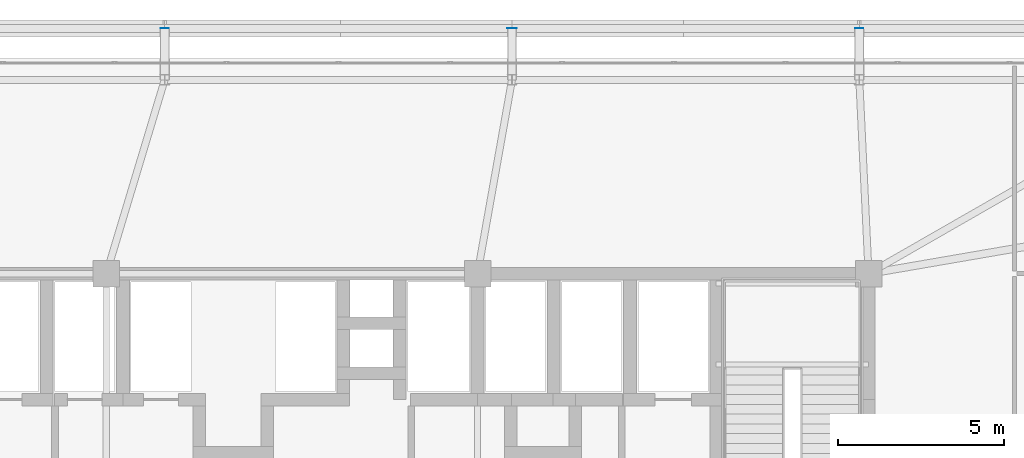
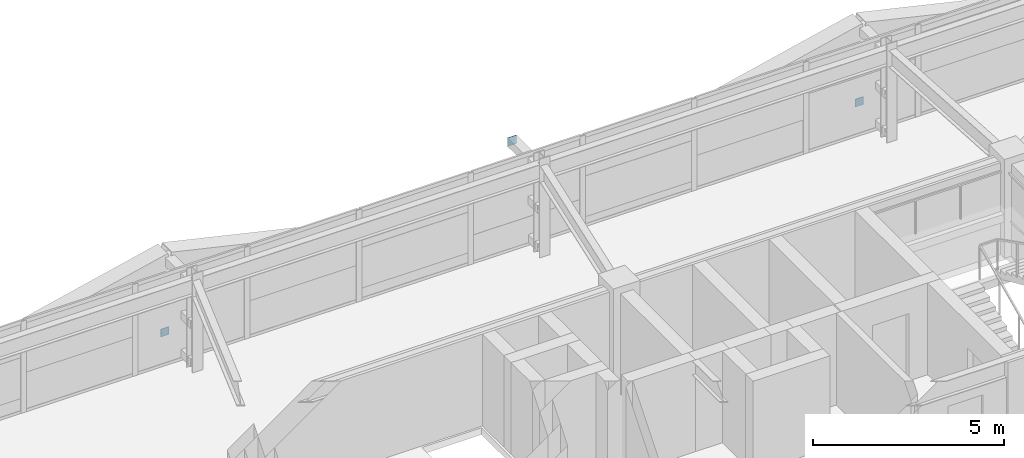
# One storey, part 50 of 58: 3 plates.
"""IFC4 building model written with IfcOpenShell, lengths in metres."""

from ifc_helpers import new_model, si_unit, direction, frame, origin, origin_2d, place, context, subcontext, project, spatial, rectangle, extrude, source, transform, mapped, material, layer, layer_set, type_object, element, save


model = new_model("IFC4")

# Units and contexts
model_context = context("Model", 3, precision=1e-05, world=origin(), true_north=direction((0.0, 1.0)))
body_context = subcontext(model_context, "Body", "Model", "MODEL_VIEW")
ifc_project = project(units=[si_unit("LENGTHUNIT", "METRE"), si_unit("AREAUNIT", "SQUARE_METRE"), si_unit("VOLUMEUNIT", "CUBIC_METRE"), si_unit("PLANEANGLEUNIT", "RADIAN"), si_unit("MASSUNIT", "GRAM", prefix="KILO")], contexts=[model_context])

# Site, building, storey
site_placement = place(None, origin())
site = spatial("IfcSite", under=ifc_project, at=site_placement, CompositionType="ELEMENT")
building_placement = place(site_placement, origin())
building = spatial("IfcBuilding", under=site, at=building_placement, Name="Taldren Reach Tower", CompositionType="ELEMENT")
storey_placement = place(building_placement, frame((0.0, 0.0, 51.449951171875)))
storey = spatial("IfcBuildingStorey", under=building, at=storey_placement, Name="L15", CompositionType="ELEMENT", Elevation=51.449951171875)

# Plates
ifc_material_1 = material(Name="Steel Gr 450 (C450L0)", Category="steel")
ifc_layer_1 = layer(ifc_material_1, 0.011962890625)
ifc_layer_set_1 = layer_set([ifc_layer_1], Name="Steel Gr 450 (C450L0)")
plate_type_1 = type_object("IfcPlateType", Name="PL-CAP-275", PredefinedType="SHEET", material=ifc_layer_set_1)
shared_shape_1 = source(origin(), body_context, "Body", "SweptSolid", [
    extrude(rectangle(XDim=0.27490234375, YDim=0.011962890625, at=origin_2d()), origin(), (0.0, 0.0, 1.0), 0.27490234375),
])
plate_placement = place(storey_placement, frame((40.239990234375, 39.406005859375, 2.5126953125), z_axis=(0.0, 0.0, 1.0), x_axis=(1.0, 0.0, 0.0)))
element("IfcPlate", 1, at=plate_placement, inside=storey, type_object=plate_type_1, Name="Tie strut end cap plate B1-N4 L15", PredefinedType="SHEET", context=body_context, shape_type="MappedRepresentation", body=[
    mapped(shared_shape_1, transform((0.0, 0.0, 0.0), scale=1.0)),
])
ifc_material_2 = material(Name="Steel Gr 350 (C350L0)", Category="steel")
ifc_layer_2 = layer(ifc_material_2, 0.011962890625)
ifc_layer_set_2 = layer_set([ifc_layer_2], Name="Steel Gr 350 (C350L0)")
plate_type_2 = type_object("IfcPlateType", Name="PL-CAP-250", PredefinedType="SHEET", material=ifc_layer_set_2)
shared_shape_2 = source(origin(), body_context, "Body", "SweptSolid", [
    extrude(rectangle(XDim=0.25, YDim=0.011962890625, at=origin_2d()), origin(), (0.0, 0.0, 1.0), 0.25),
])
for number, where, z_axis, x_axis, name in (
    (2, (29.760009765625, 39.406005859375, 0.094970703125), (0.0, 0.0, 1.0), (1.0, 0.0, 0.0), "Tie strut end cap plate B1-N3 L15"),
    (3, (50.719970703125, 39.406005859375, 0.094970703125), (0.0, 0.0, 1.0), (1.0, 0.0, 0.0), "Tie strut end cap plate B1-N5 L15"),
):
    element("IfcPlate", number, at=place(storey_placement, frame(where, z_axis=z_axis, x_axis=x_axis)), inside=storey, type_object=plate_type_2, Name=name, PredefinedType="SHEET", context=body_context, shape_type="MappedRepresentation", body=[
        mapped(shared_shape_2, transform((0.0, 0.0, 0.0), scale=1.0)),
    ])

save(model, "model.ifc")
